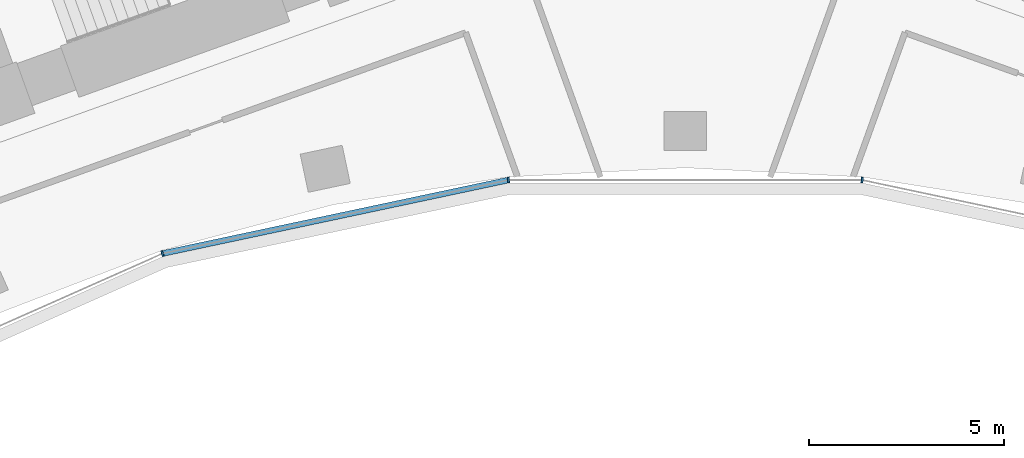
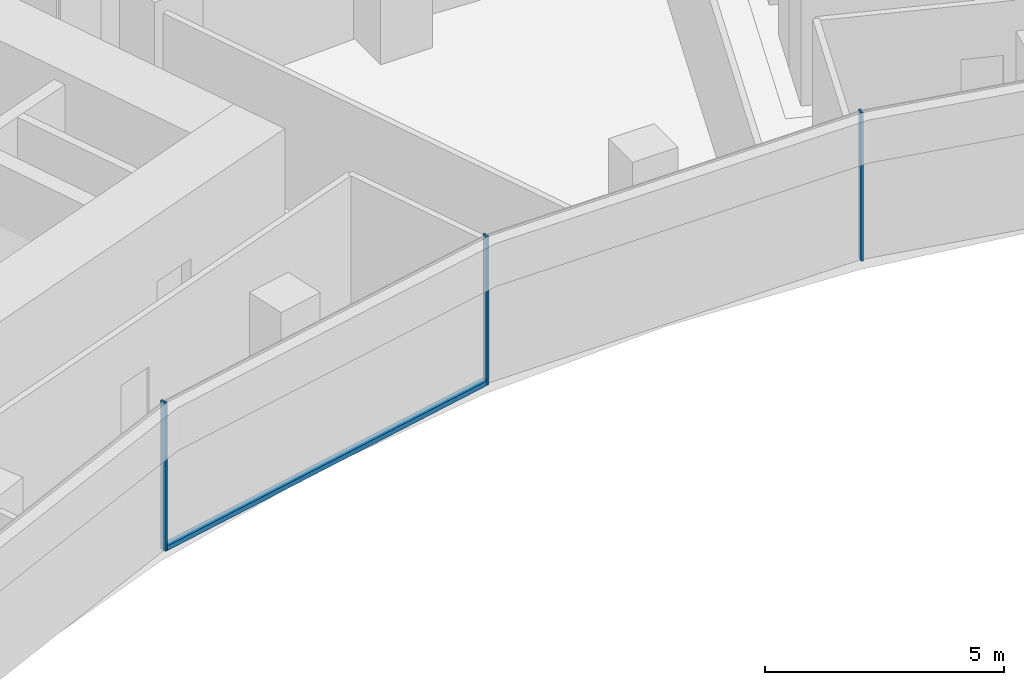
# One storey, part 5 of 20: 4 members, 1 element without a shape of its own.
"""IFC4 building model written with IfcOpenShell, lengths in metres."""

import ifcopenshell
import ifcopenshell.guid

model = None  # the IFC model being written
_history = None  # IfcOwnerHistory: only IFC2X3 demands one
_inside = {}  # id of a spatial element -> (the spatial element, [elements in it])
_under = {}  # id of a project, library or spatial element -> (it, [spatial elements below it])
_declared = {}  # id of a project -> (the project, [libraries it declares])
_typed = {}  # id of a type object -> (the type object, [elements of that type])
_made_of = {}  # id of a material, layer set ... -> (it, [elements and type objects made of it])


def new_model(schema):
    """Start an empty IFC model of exactly this schema.

    Asked for "IFC4X3", IfcOpenShell would pick the latest addendum, in which some entities
    have other attributes; the version numbers below select the first issue.
    IFC2X3 requires an IfcOwnerHistory on every rooted entity: one is made here for all.
    """
    global model, _history
    if schema == "IFC4X3":
        model = ifcopenshell.file(schema_version=(4, 3, 0, 0))
    else:
        model = ifcopenshell.file(schema=schema)
    _inside.clear()
    _under.clear()
    _declared.clear()
    _typed.clear()
    _made_of.clear()
    _history = None
    if model.schema == "IFC2X3":
        org = make("IfcOrganization", Name="unknown")
        user = make(
            "IfcPersonAndOrganization",
            ThePerson=make("IfcPerson", FamilyName="unknown"),
            TheOrganization=org,
        )
        app = make(
            "IfcApplication",
            ApplicationDeveloper=org,
            Version="unknown",
            ApplicationFullName="unknown",
            ApplicationIdentifier="unknown",
        )
        _history = make(
            "IfcOwnerHistory",
            OwningUser=user,
            OwningApplication=app,
            ChangeAction="ADDED",
            CreationDate=0,
        )
    return model


def make(cls, **values):
    """One entity of the class cls with the attributes given. An attribute that is None is left unset."""
    return model.create_entity(
        cls, **{name: value for name, value in values.items() if value is not None}
    )


def rooted(cls, **values):
    """An entity with a GlobalId (a new one), such as an element, a storey or a relation."""
    return make(cls, GlobalId=ifcopenshell.guid.new(), OwnerHistory=_history, **values)


def si_unit(unit_type, name, prefix=None):
    """IfcSIUnit, for example si_unit("LENGTHUNIT", "METRE", prefix="MILLI")."""
    return make("IfcSIUnit", UnitType=unit_type, Prefix=prefix, Name=name)


def assignment(units):
    """IfcUnitAssignment: the units of a project."""
    return None if units is None else make("IfcUnitAssignment", Units=units)


def point(xyz):
    """IfcCartesianPoint."""
    return None if xyz is None else make("IfcCartesianPoint", Coordinates=xyz)


def direction(xyz):
    """IfcDirection."""
    return None if xyz is None else make("IfcDirection", DirectionRatios=xyz)


def frame(location, z_axis=None, x_axis=None):
    """IfcAxis2Placement3D, a coordinate frame: its origin and axes. An axis left out is left unset."""
    return make(
        "IfcAxis2Placement3D",
        Location=point(location),
        Axis=direction(z_axis),
        RefDirection=direction(x_axis),
    )


def frame_2d(location, x_axis=None):
    """IfcAxis2Placement2D, a coordinate frame in the plane: its origin and x axis."""
    return make(
        "IfcAxis2Placement2D", Location=point(location), RefDirection=direction(x_axis)
    )


def origin():
    """The frame at (0, 0, 0) with its axes left unset."""
    return frame((0.0, 0.0, 0.0))


def origin_2d():
    """The frame at (0, 0) in the plane with its x axis left unset."""
    return frame_2d((0.0, 0.0))


def place(relative_to, where):
    """IfcLocalPlacement: puts the frame where relative to a parent placement (None: the world)."""
    return make(
        "IfcLocalPlacement", PlacementRelTo=relative_to, RelativePlacement=where
    )


def context(
    kind, dimensions, precision=None, world=None, true_north=None, identifier=None
):
    """IfcGeometricRepresentationContext, for example the 3D "Model" context."""
    return make(
        "IfcGeometricRepresentationContext",
        ContextIdentifier=identifier,
        ContextType=kind,
        CoordinateSpaceDimension=dimensions,
        Precision=precision,
        WorldCoordinateSystem=world,
        TrueNorth=true_north,
    )


def subcontext(parent, identifier, kind, view, scale=None):
    """IfcGeometricRepresentationSubContext, for example "Body" below "Model"."""
    return make(
        "IfcGeometricRepresentationSubContext",
        ContextIdentifier=identifier,
        ContextType=kind,
        ParentContext=parent,
        TargetScale=scale,
        TargetView=view,
    )


def project(units=None, contexts=None):
    """IfcProject with its units and contexts."""
    return rooted(
        "IfcProject",
        Name="project",
        RepresentationContexts=contexts,
        UnitsInContext=assignment(units),
    )


def spatial(cls, under=None, at=None, **own):
    """A site, building, storey or space (cls), placed at a placement, below another one or the project."""
    s = rooted(cls, ObjectPlacement=at, **own)
    if under is not None:
        _under.setdefault(under.id(), (under, []))[1].append(s)
    return s


def profile(cls, at=None, kind="AREA", **sizes):
    """A parametric profile (cls). Its sizes go by their IFC names, for example OverallWidth=200.0."""
    return make(cls, ProfileType=kind, Position=at, **sizes)


def rectangle(**sizes):
    """IfcRectangleProfileDef."""
    return profile("IfcRectangleProfileDef", **sizes)


def extrude(swept, where, along, depth):
    """IfcExtrudedAreaSolid: the profile swept, set in the frame where, extruded along a direction by depth."""
    return make(
        "IfcExtrudedAreaSolid",
        SweptArea=swept,
        Position=where,
        ExtrudedDirection=direction(along),
        Depth=depth,
    )


def shape(context_of_items, identifier, shape_type, items):
    """IfcShapeRepresentation: the items that make up one representation, for example the "Body"."""
    return make(
        "IfcShapeRepresentation",
        ContextOfItems=context_of_items,
        RepresentationIdentifier=identifier,
        RepresentationType=shape_type,
        Items=items,
    )


def material(Name=None, Category=None):
    """IfcMaterial."""
    return make("IfcMaterial", Name=Name, Category=Category)


def layer(
    of_material, thickness, ventilated=None, Name=None, Category=None, Priority=None
):
    """IfcMaterialLayer: one layer of a wall or slab, of a material (None: an air gap)."""
    return make(
        "IfcMaterialLayer",
        Material=of_material,
        LayerThickness=thickness,
        IsVentilated=ventilated,
        Name=Name,
        Category=Category,
        Priority=Priority,
    )


def layer_set(layers, Name=None):
    """IfcMaterialLayerSet."""
    return make("IfcMaterialLayerSet", MaterialLayers=layers, LayerSetName=Name)


def material_profile(
    of_material, cross_section, Name=None, Category=None, Priority=None
):
    """IfcMaterialProfile: a cross section and its material."""
    return make(
        "IfcMaterialProfile",
        Name=Name,
        Material=of_material,
        Profile=cross_section,
        Priority=Priority,
        Category=Category,
    )


def profile_set(profiles, Name=None, composite=None):
    """IfcMaterialProfileSet."""
    return make(
        "IfcMaterialProfileSet",
        Name=Name,
        MaterialProfiles=profiles,
        CompositeProfile=composite,
    )


def made_of(thing, what):
    """Note that an element or type object is made of a material, layer set ...; save() writes the relation."""
    if what is not None:
        _made_of.setdefault(what.id(), (what, []))[1].append(thing)
    return thing


def type_object(cls, material=None, **own):
    """A type object (cls), such as IfcWallType, which elements share."""
    return made_of(rooted(cls, **own), material)


def element(
    cls,
    number,
    at=None,
    inside=None,
    cuts=None,
    type_object=None,
    material=None,
    context=None,
    identifier="Body",
    shape_type=None,
    held_by="IfcProductDefinitionShape",
    body=None,
    shapes=None,
    **own,
):
    """One element of the class cls, such as IfcWall. Its Tag is "e" and its number.

    at: its placement. inside: the storey or other place that contains it. cuts: it is an
    opening in that element (IfcRelVoidsElement). A single representation is given by context,
    identifier, shape_type and body (its items); several are given by shapes. held_by: the class
    of the entity that holds the representations. save() writes the other relations.
    """
    e = rooted(cls, Tag="e%d" % number, ObjectPlacement=at, **own)
    if body is not None:
        shapes = [shape(context, identifier, shape_type, body)]
    if shapes is not None:
        e.Representation = make(held_by, Representations=shapes)
    if inside is not None:
        _inside.setdefault(inside.id(), (inside, []))[1].append(e)
    if cuts is not None:
        rooted(
            "IfcRelVoidsElement", RelatingBuildingElement=cuts, RelatedOpeningElement=e
        )
    if type_object is not None:
        _typed.setdefault(type_object.id(), (type_object, []))[1].append(e)
    return made_of(e, material)


def aggregate(whole, parts):
    """IfcRelAggregates: a whole, such as a stair, and the parts it consists of."""
    return rooted("IfcRelAggregates", RelatingObject=whole, RelatedObjects=parts)


def save(model, path):
    """Write the relations noted so far, then the file.

    IfcRelAggregates (storeys below a building ...), IfcRelContainedInSpatialStructure (elements
    in a storey), IfcRelDefinesByType, IfcRelAssociatesMaterial and IfcRelDeclares: one each for
    every whole, place, type object, material and project.
    """
    for whole, parts in _under.values():
        aggregate(whole, parts)
    for where, things in _inside.values():
        rooted(
            "IfcRelContainedInSpatialStructure",
            RelatedElements=things,
            RelatingStructure=where,
        )
    for kind, things in _typed.values():
        rooted("IfcRelDefinesByType", RelatedObjects=things, RelatingType=kind)
    for what, things in _made_of.values():
        rooted("IfcRelAssociatesMaterial", RelatedObjects=things, RelatingMaterial=what)
    for by, libraries in _declared.values():
        rooted("IfcRelDeclares", RelatingContext=by, RelatedDefinitions=libraries)
    model.write(path)


model = new_model("IFC4")

# Units and contexts
model_context = context("Model", 3, precision=1e-05, world=origin(), true_north=direction((0.0, 1.0)))
body_context = subcontext(model_context, "Body", "Model", "MODEL_VIEW")
ifc_project = project(units=[si_unit("LENGTHUNIT", "METRE"), si_unit("AREAUNIT", "SQUARE_METRE"), si_unit("VOLUMEUNIT", "CUBIC_METRE"), si_unit("PLANEANGLEUNIT", "RADIAN"), si_unit("MASSUNIT", "GRAM", prefix="KILO")], contexts=[model_context])

# Site, building, storey
site_placement = place(None, origin())
site = spatial("IfcSite", under=ifc_project, at=site_placement, CompositionType="ELEMENT")
building_placement = place(site_placement, origin())
building = spatial("IfcBuilding", under=site, at=building_placement, Name="Stone Belt Terrace Tower", CompositionType="ELEMENT")
storey_placement = place(building_placement, frame((0.0, 0.0, 182.0)))
storey = spatial("IfcBuildingStorey", under=building, at=storey_placement, Name="L44", CompositionType="ELEMENT", Elevation=182.0)

# Curtain wall, members
ifc_material = material(Name="Aluminium 6063-T6 anodised frame", Category="aluminium")
ifc_layer = layer(ifc_material, 0.14990234375)
ifc_layer_set = layer_set([ifc_layer], Name="CW-B unitised concave-face curtain wall")
curtain_wall_type = type_object("IfcCurtainWallType", Name="CW-B unitised concave-face curtain wall", PredefinedType="NOTDEFINED", material=ifc_layer_set)
curtain_wall_placement = place(storey_placement, origin())
curtain_wall = element("IfcCurtainWall", 1, at=curtain_wall_placement, inside=storey, type_object=curtain_wall_type, Name="CW-B concave face L44", PredefinedType="NOTDEFINED")
ifc_material_profile_1 = material_profile(ifc_material, rectangle(XDim=0.14990234375, YDim=0.050048828125, at=origin_2d()), Name="Aluminium 6063-T6 50x150")
ifc_profile_set_1 = profile_set([ifc_material_profile_1], Name="Aluminium 6063-T6 anodised frame")
member_type_1 = type_object("IfcMemberType", Name="CW-B mullion 50 x 150", PredefinedType="MULLION", material=ifc_profile_set_1)
member_1_placement = place(storey_placement, frame((-13.4189453125, 41.29931640625, 0.0), z_axis=(0.0, 0.0, 1.0), x_axis=(-0.309016994375, 0.951056516295, 0.0)))
member_1 = element("IfcMember", 2, at=member_1_placement, type_object=member_type_1, Name="CW-B mullion 4", PredefinedType="MULLION", context=body_context, shape_type="SweptSolid", body=[
    extrude(rectangle(XDim=0.14990234375, YDim=0.050048828125, at=origin_2d()), origin(), (0.0, 0.0, 1.0), 3.800048828125),
])
member_2_placement = place(storey_placement, frame((-4.5390625, 43.186767578125, 0.0), z_axis=(0.0, 0.0, 1.0), x_axis=(-0.104528463268, 0.994521895368, 0.0)))
member_2 = element("IfcMember", 3, at=member_2_placement, type_object=member_type_1, Name="CW-B mullion 5", PredefinedType="MULLION", context=body_context, shape_type="SweptSolid", body=[
    extrude(rectangle(XDim=0.14990234375, YDim=0.050048828125, at=origin_2d()), origin(), (0.0, 0.0, 1.0), 3.800048828125),
])
member_3_placement = place(storey_placement, frame((4.5390625, 43.186767578125, 0.0), z_axis=(0.0, 0.0, 1.0), x_axis=(0.104528463268, 0.994521895368, 0.0)))
member_3 = element("IfcMember", 4, at=member_3_placement, type_object=member_type_1, Name="CW-B mullion 6", PredefinedType="MULLION", context=body_context, shape_type="SweptSolid", body=[
    extrude(rectangle(XDim=0.14990234375, YDim=0.050048828125, at=origin_2d()), origin(), (0.0, 0.0, 1.0), 3.800048828125),
])
ifc_material_profile_2 = material_profile(ifc_material, rectangle(XDim=0.14990234375, YDim=0.1201171875, at=origin_2d()), Name="Aluminium 6063-T6 150x120")
ifc_profile_set_2 = profile_set([ifc_material_profile_2], Name="Aluminium 6063-T6 anodised frame")
member_type_2 = type_object("IfcMemberType", Name="CW-B transom 120 x 150", PredefinedType="USERDEFINED", material=ifc_profile_set_2)
member_4_placement = place(storey_placement, frame((-13.386962890625, 41.30615234375, 0.06005859375), z_axis=(0.9781499003, 0.207900871914, 0.0), x_axis=(-0.207900871914, 0.9781499003, 0.0)))
member_4 = element("IfcMember", 5, at=member_4_placement, type_object=member_type_2, Name="CW-B transom 4.1", ObjectType="TRANSOM", PredefinedType="USERDEFINED", context=body_context, shape_type="SweptSolid", body=[
    extrude(rectangle(XDim=0.14990234375, YDim=0.1201171875, at=origin_2d()), origin(), (0.0, 0.0, 1.0), 9.012939453125),
])
aggregate(curtain_wall, [member_1, member_2, member_3, member_4])

save(model, "model.ifc")
